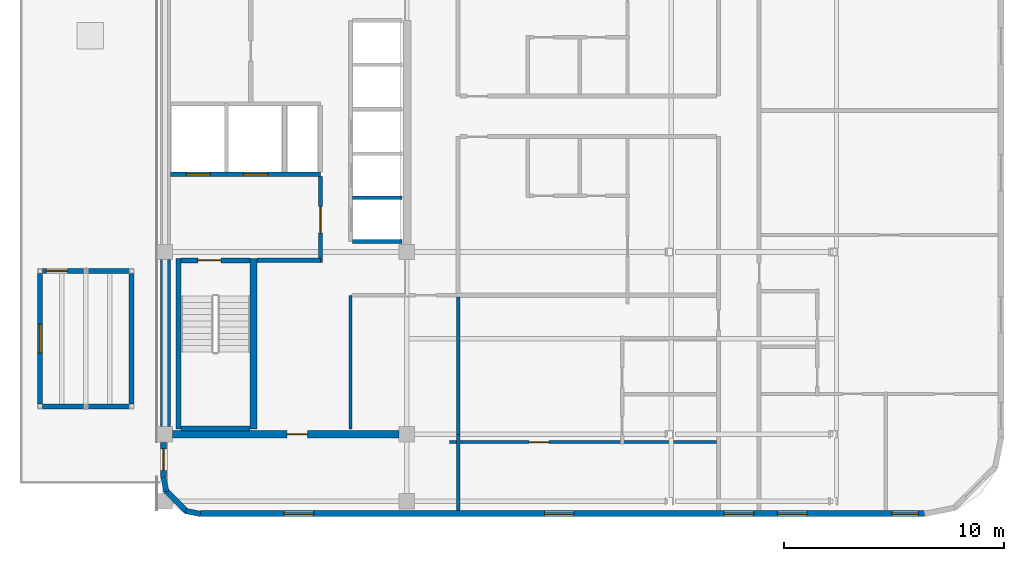
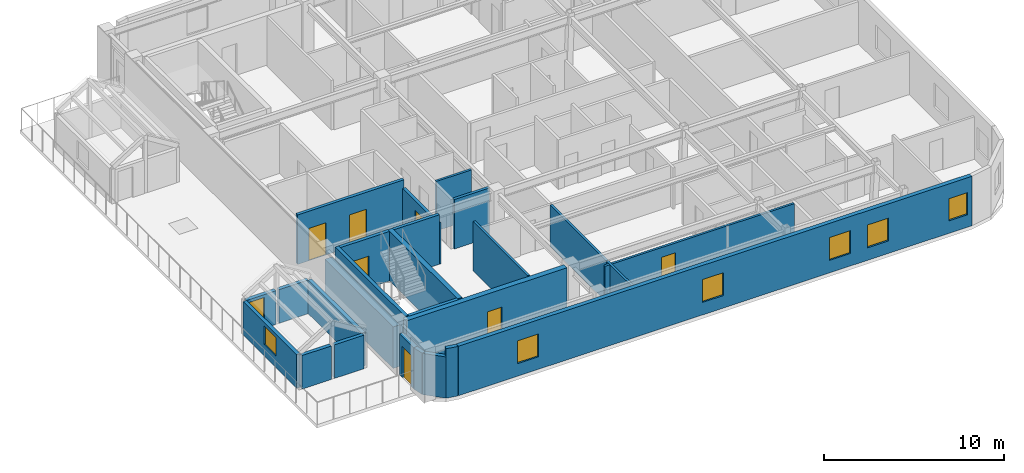
# One storey, part 8 of 13: 26 walls, 8 doors, 6 windows, 14 openings.
"""IFC4 building model written with IfcOpenShell, lengths in metres."""

import ifcopenshell
import ifcopenshell.guid

model = None  # the IFC model being written
_history = None  # IfcOwnerHistory: only IFC2X3 demands one
_inside = {}  # id of a spatial element -> (the spatial element, [elements in it])
_under = {}  # id of a project, library or spatial element -> (it, [spatial elements below it])
_declared = {}  # id of a project -> (the project, [libraries it declares])
_typed = {}  # id of a type object -> (the type object, [elements of that type])
_made_of = {}  # id of a material, layer set ... -> (it, [elements and type objects made of it])


def new_model(schema):
    """Start an empty IFC model of exactly this schema.

    Asked for "IFC4X3", IfcOpenShell would pick the latest addendum, in which some entities
    have other attributes; the version numbers below select the first issue.
    IFC2X3 requires an IfcOwnerHistory on every rooted entity: one is made here for all.
    """
    global model, _history
    if schema == "IFC4X3":
        model = ifcopenshell.file(schema_version=(4, 3, 0, 0))
    else:
        model = ifcopenshell.file(schema=schema)
    _inside.clear()
    _under.clear()
    _declared.clear()
    _typed.clear()
    _made_of.clear()
    _history = None
    if model.schema == "IFC2X3":
        org = make("IfcOrganization", Name="unknown")
        user = make(
            "IfcPersonAndOrganization",
            ThePerson=make("IfcPerson", FamilyName="unknown"),
            TheOrganization=org,
        )
        app = make(
            "IfcApplication",
            ApplicationDeveloper=org,
            Version="unknown",
            ApplicationFullName="unknown",
            ApplicationIdentifier="unknown",
        )
        _history = make(
            "IfcOwnerHistory",
            OwningUser=user,
            OwningApplication=app,
            ChangeAction="ADDED",
            CreationDate=0,
        )
    return model


def make(cls, **values):
    """One entity of the class cls with the attributes given. An attribute that is None is left unset."""
    return model.create_entity(
        cls, **{name: value for name, value in values.items() if value is not None}
    )


def rooted(cls, **values):
    """An entity with a GlobalId (a new one), such as an element, a storey or a relation."""
    return make(cls, GlobalId=ifcopenshell.guid.new(), OwnerHistory=_history, **values)


def si_unit(unit_type, name, prefix=None):
    """IfcSIUnit, for example si_unit("LENGTHUNIT", "METRE", prefix="MILLI")."""
    return make("IfcSIUnit", UnitType=unit_type, Prefix=prefix, Name=name)


def assignment(units):
    """IfcUnitAssignment: the units of a project."""
    return None if units is None else make("IfcUnitAssignment", Units=units)


def point(xyz):
    """IfcCartesianPoint."""
    return None if xyz is None else make("IfcCartesianPoint", Coordinates=xyz)


def direction(xyz):
    """IfcDirection."""
    return None if xyz is None else make("IfcDirection", DirectionRatios=xyz)


def frame(location, z_axis=None, x_axis=None):
    """IfcAxis2Placement3D, a coordinate frame: its origin and axes. An axis left out is left unset."""
    return make(
        "IfcAxis2Placement3D",
        Location=point(location),
        Axis=direction(z_axis),
        RefDirection=direction(x_axis),
    )


def frame_2d(location, x_axis=None):
    """IfcAxis2Placement2D, a coordinate frame in the plane: its origin and x axis."""
    return make(
        "IfcAxis2Placement2D", Location=point(location), RefDirection=direction(x_axis)
    )


def origin():
    """The frame at (0, 0, 0) with its axes left unset."""
    return frame((0.0, 0.0, 0.0))


def place(relative_to, where):
    """IfcLocalPlacement: puts the frame where relative to a parent placement (None: the world)."""
    return make(
        "IfcLocalPlacement", PlacementRelTo=relative_to, RelativePlacement=where
    )


def context(
    kind, dimensions, precision=None, world=None, true_north=None, identifier=None
):
    """IfcGeometricRepresentationContext, for example the 3D "Model" context."""
    return make(
        "IfcGeometricRepresentationContext",
        ContextIdentifier=identifier,
        ContextType=kind,
        CoordinateSpaceDimension=dimensions,
        Precision=precision,
        WorldCoordinateSystem=world,
        TrueNorth=true_north,
    )


def subcontext(parent, identifier, kind, view, scale=None):
    """IfcGeometricRepresentationSubContext, for example "Body" below "Model"."""
    return make(
        "IfcGeometricRepresentationSubContext",
        ContextIdentifier=identifier,
        ContextType=kind,
        ParentContext=parent,
        TargetScale=scale,
        TargetView=view,
    )


def project(units=None, contexts=None):
    """IfcProject with its units and contexts."""
    return rooted(
        "IfcProject",
        Name="project",
        RepresentationContexts=contexts,
        UnitsInContext=assignment(units),
    )


def spatial(cls, under=None, at=None, **own):
    """A site, building, storey or space (cls), placed at a placement, below another one or the project."""
    s = rooted(cls, ObjectPlacement=at, **own)
    if under is not None:
        _under.setdefault(under.id(), (under, []))[1].append(s)
    return s


def profile(cls, at=None, kind="AREA", **sizes):
    """A parametric profile (cls). Its sizes go by their IFC names, for example OverallWidth=200.0."""
    return make(cls, ProfileType=kind, Position=at, **sizes)


def rectangle(**sizes):
    """IfcRectangleProfileDef."""
    return profile("IfcRectangleProfileDef", **sizes)


def extrude(swept, where, along, depth):
    """IfcExtrudedAreaSolid: the profile swept, set in the frame where, extruded along a direction by depth."""
    return make(
        "IfcExtrudedAreaSolid",
        SweptArea=swept,
        Position=where,
        ExtrudedDirection=direction(along),
        Depth=depth,
    )


def shape(context_of_items, identifier, shape_type, items):
    """IfcShapeRepresentation: the items that make up one representation, for example the "Body"."""
    return make(
        "IfcShapeRepresentation",
        ContextOfItems=context_of_items,
        RepresentationIdentifier=identifier,
        RepresentationType=shape_type,
        Items=items,
    )


def material(Name=None, Category=None):
    """IfcMaterial."""
    return make("IfcMaterial", Name=Name, Category=Category)


def layer(
    of_material, thickness, ventilated=None, Name=None, Category=None, Priority=None
):
    """IfcMaterialLayer: one layer of a wall or slab, of a material (None: an air gap)."""
    return make(
        "IfcMaterialLayer",
        Material=of_material,
        LayerThickness=thickness,
        IsVentilated=ventilated,
        Name=Name,
        Category=Category,
        Priority=Priority,
    )


def layer_set(layers, Name=None):
    """IfcMaterialLayerSet."""
    return make("IfcMaterialLayerSet", MaterialLayers=layers, LayerSetName=Name)


def made_of(thing, what):
    """Note that an element or type object is made of a material, layer set ...; save() writes the relation."""
    if what is not None:
        _made_of.setdefault(what.id(), (what, []))[1].append(thing)
    return thing


def type_object(cls, material=None, **own):
    """A type object (cls), such as IfcWallType, which elements share."""
    return made_of(rooted(cls, **own), material)


def element(
    cls,
    number,
    at=None,
    inside=None,
    cuts=None,
    type_object=None,
    material=None,
    context=None,
    identifier="Body",
    shape_type=None,
    held_by="IfcProductDefinitionShape",
    body=None,
    shapes=None,
    **own,
):
    """One element of the class cls, such as IfcWall. Its Tag is "e" and its number.

    at: its placement. inside: the storey or other place that contains it. cuts: it is an
    opening in that element (IfcRelVoidsElement). A single representation is given by context,
    identifier, shape_type and body (its items); several are given by shapes. held_by: the class
    of the entity that holds the representations. save() writes the other relations.
    """
    e = rooted(cls, Tag="e%d" % number, ObjectPlacement=at, **own)
    if body is not None:
        shapes = [shape(context, identifier, shape_type, body)]
    if shapes is not None:
        e.Representation = make(held_by, Representations=shapes)
    if inside is not None:
        _inside.setdefault(inside.id(), (inside, []))[1].append(e)
    if cuts is not None:
        rooted(
            "IfcRelVoidsElement", RelatingBuildingElement=cuts, RelatedOpeningElement=e
        )
    if type_object is not None:
        _typed.setdefault(type_object.id(), (type_object, []))[1].append(e)
    return made_of(e, material)


def fill(opening, filler):
    """IfcRelFillsElement: the door or window that sits in an opening."""
    return rooted(
        "IfcRelFillsElement",
        RelatingOpeningElement=opening,
        RelatedBuildingElement=filler,
    )


def aggregate(whole, parts):
    """IfcRelAggregates: a whole, such as a stair, and the parts it consists of."""
    return rooted("IfcRelAggregates", RelatingObject=whole, RelatedObjects=parts)


def save(model, path):
    """Write the relations noted so far, then the file.

    IfcRelAggregates (storeys below a building ...), IfcRelContainedInSpatialStructure (elements
    in a storey), IfcRelDefinesByType, IfcRelAssociatesMaterial and IfcRelDeclares: one each for
    every whole, place, type object, material and project.
    """
    for whole, parts in _under.values():
        aggregate(whole, parts)
    for where, things in _inside.values():
        rooted(
            "IfcRelContainedInSpatialStructure",
            RelatedElements=things,
            RelatingStructure=where,
        )
    for kind, things in _typed.values():
        rooted("IfcRelDefinesByType", RelatedObjects=things, RelatingType=kind)
    for what, things in _made_of.values():
        rooted("IfcRelAssociatesMaterial", RelatedObjects=things, RelatingMaterial=what)
    for by, libraries in _declared.values():
        rooted("IfcRelDeclares", RelatingContext=by, RelatedDefinitions=libraries)
    model.write(path)


model = new_model("IFC4")

# Units and contexts
model_context = context("Model", 3, precision=1e-05, world=origin(), true_north=direction((0.0, 1.0)))
body_context = subcontext(model_context, "Body", "Model", "MODEL_VIEW")
ifc_project = project(units=[si_unit("LENGTHUNIT", "METRE"), si_unit("AREAUNIT", "SQUARE_METRE"), si_unit("VOLUMEUNIT", "CUBIC_METRE"), si_unit("PLANEANGLEUNIT", "RADIAN"), si_unit("MASSUNIT", "GRAM", prefix="KILO")], contexts=[model_context])

# Site, building, storey
site_placement = place(None, origin())
site = spatial("IfcSite", under=ifc_project, at=site_placement, CompositionType="ELEMENT")
building_placement = place(site_placement, origin())
building = spatial("IfcBuilding", under=site, at=building_placement, Name="Ochreholt Gables", CompositionType="ELEMENT")
storey_placement = place(building_placement, frame((0.0, 0.0, 205.800048828125)))
storey = spatial("IfcBuildingStorey", under=building, at=storey_placement, Name="L53", CompositionType="ELEMENT", Elevation=205.800048828125)

# Wall, opening, door
ifc_material_1 = material(Name="Concrete 50 MPa", Category="concrete")
ifc_layer_1 = layer(ifc_material_1, 0.35009765625, Name="Concrete 50 MPa")
ifc_layer_set_1 = layer_set([ifc_layer_1], Name="Concrete 50 MPa")
wall_type_1 = type_object("IfcWallType", Name="WALL-CSW-350", PredefinedType="SHEAR", material=ifc_layer_set_1)
wall_1_placement = place(storey_placement, frame((24.550048828125, 9.25, 0.0), z_axis=(0.0, 0.0, 1.0), x_axis=(1.0, 0.0, 0.0)))
wall_1 = element("IfcWall", 1, at=wall_1_placement, inside=storey, type_object=wall_type_1, Name="L53 Core South Shear Wall", PredefinedType="SHEAR", context=body_context, shape_type="SweptSolid", body=[
    extrude(rectangle(XDim=10.300048828125, YDim=0.35009765625, at=frame_2d((5.14990234375, 0.0))), origin(), (0.0, 0.0, 1.0), 3.35986328125),
])
opening_1_placement = place(wall_1_placement, frame((5.199951171875, 0.0, 0.0)))
opening_1 = element("IfcOpeningElement", 2, at=opening_1_placement, cuts=wall_1, Name="Opening D-FL2", PredefinedType="OPENING", context=body_context, shape_type="SweptSolid", body=[
    extrude(rectangle(XDim=0.949951171875, YDim=2.14990234375, at=frame_2d((0.47509765625, 1.074951171875))), frame((0.0, 0.18505859375, 0.0), z_axis=(0.0, -1.0, 0.0), x_axis=(1.0, 0.0, 0.0)), (0.0, 0.0, 1.0), 0.3701171875),
])
ifc_material_2 = material(Name="Hollow Metal Steel", Category="steel")
door_type_1 = type_object("IfcDoorType", Name="DR-INT-FLB950", OperationType="NOTDEFINED", PredefinedType="DOOR", material=ifc_material_2)
door_1_placement = place(opening_1_placement, frame((0.949951171875, 0.0, 0.0), z_axis=(0.0, 0.0, 1.0), x_axis=(-1.0, 0.0, 0.0)))
door_1 = element("IfcDoor", 3, at=door_1_placement, inside=storey, type_object=door_type_1, Name="L53 Door D-C3SSL-L53", OperationType="SINGLE_SWING_LEFT", OverallHeight=2.14990234375, OverallWidth=0.949951171875, PredefinedType="DOOR", context=body_context, shape_type="SweptSolid", body=[
    extrude(rectangle(XDim=0.949951171875, YDim=2.14990234375, at=frame_2d((0.47509765625, 1.074951171875))), frame((0.0, 0.02490234375, 0.0), z_axis=(0.0, -1.0, 0.0), x_axis=(1.0, 0.0, 0.0)), (0.0, 0.0, 1.0), 0.050048828125),
])
fill(opening_1, door_1)

# Wall
ifc_layer_2 = layer(ifc_material_1, 0.449951171875, Name="Concrete 50 MPa")
ifc_layer_set_2 = layer_set([ifc_layer_2], Name="Concrete 50 MPa")
wall_type_2 = type_object("IfcWallType", Name="WALL-CSW-EXT", PredefinedType="SHEAR", material=ifc_layer_set_2)
wall_2_placement = place(storey_placement, frame((24.22509765625, 9.60009765625, 0.0), z_axis=(0.0, 0.0, 1.0), x_axis=(0.0, 1.0, 0.0)))
element("IfcWall", 4, at=wall_2_placement, inside=storey, type_object=wall_type_2, Name="L53 Core West Shear Wall WS", PredefinedType="SHEAR", context=body_context, shape_type="SweptSolid", body=[
    extrude(rectangle(XDim=7.599853515625, YDim=0.449951171875, at=frame_2d((3.7998046875, 0.0))), origin(), (0.0, 0.0, 1.0), 2.821044921875),
])

# Wall, openings, windows
ifc_material_3 = material(Name="Precast concrete 40 MPa", Category="concrete")
ifc_layer_3 = layer(ifc_material_3, 0.27001953125, Name="Precast concrete 40 MPa")
ifc_layer_set_3 = layer_set([ifc_layer_3], Name="Precast concrete 40 MPa")
wall_type_3 = type_object("IfcWallType", Name="WALL-EXT-270", PredefinedType="SOLIDWALL", material=ifc_layer_set_3)
wall_3_placement = place(storey_placement, frame((25.820068359375, 5.635009765625, 0.0), z_axis=(0.0, 0.0, 1.0), x_axis=(1.0, 0.0, 0.0)))
wall_3 = element("IfcWall", 5, at=wall_3_placement, inside=storey, type_object=wall_type_3, Name="L53 South Exterior Wall", PredefinedType="SOLIDWALL", context=body_context, shape_type="SweptSolid", body=[
    extrude(rectangle(XDim=32.9599609375, YDim=0.27001953125, at=frame_2d((16.47998046875, 0.0))), origin(), (0.0, 0.0, 1.0), 3.35986328125),
])
opening_2_placement = place(wall_3_placement, frame((3.794921875, 0.0, 0.85009765625)))
opening_2 = element("IfcOpeningElement", 6, at=opening_2_placement, cuts=wall_3, Name="Opening WN-8", PredefinedType="OPENING", context=body_context, shape_type="SweptSolid", body=[
    extrude(rectangle(XDim=1.35009765625, YDim=1.550048828125, at=frame_2d((0.675048828125, 0.77490234375))), frame((0.0, 0.14501953125, 0.0), z_axis=(0.0, -1.0, 0.0), x_axis=(1.0, 0.0, 0.0)), (0.0, 0.0, 1.0), 0.2900390625),
])
opening_3_placement = place(wall_3_placement, frame((15.660888671875, 0.0, 0.85009765625)))
opening_3 = element("IfcOpeningElement", 7, at=opening_3_placement, cuts=wall_3, Name="Opening WN-8", PredefinedType="OPENING", context=body_context, shape_type="SweptSolid", body=[
    extrude(rectangle(XDim=1.35009765625, YDim=1.550048828125, at=frame_2d((0.675048828125, 0.77490234375))), frame((0.0, 0.14501953125, 0.0), z_axis=(0.0, -1.0, 0.0), x_axis=(1.0, 0.0, 0.0)), (0.0, 0.0, 1.0), 0.2900390625),
])
opening_4_placement = place(wall_3_placement, frame((23.830078125, 0.0, 0.85009765625)))
opening_4 = element("IfcOpeningElement", 8, at=opening_4_placement, cuts=wall_3, Name="Opening WN-8", PredefinedType="OPENING", context=body_context, shape_type="SweptSolid", body=[
    extrude(rectangle(XDim=1.35009765625, YDim=1.550048828125, at=frame_2d((0.675048828125, 0.77490234375))), frame((0.0, 0.14501953125, 0.0), z_axis=(0.0, -1.0, 0.0), x_axis=(1.0, 0.0, 0.0)), (0.0, 0.0, 1.0), 0.2900390625),
])
opening_5_placement = place(wall_3_placement, frame((26.2587890625, 0.0, 0.85009765625)))
opening_5 = element("IfcOpeningElement", 9, at=opening_5_placement, cuts=wall_3, Name="Opening WN-8", PredefinedType="OPENING", context=body_context, shape_type="SweptSolid", body=[
    extrude(rectangle(XDim=1.35009765625, YDim=1.550048828125, at=frame_2d((0.675048828125, 0.77490234375))), frame((0.0, 0.14501953125, 0.0), z_axis=(0.0, -1.0, 0.0), x_axis=(1.0, 0.0, 0.0)), (0.0, 0.0, 1.0), 0.2900390625),
])
opening_6_placement = place(wall_3_placement, frame((31.4765625, 0.0, 0.85009765625)))
opening_6 = element("IfcOpeningElement", 10, at=opening_6_placement, cuts=wall_3, Name="Opening WN-3", PredefinedType="OPENING", context=body_context, shape_type="SweptSolid", body=[
    extrude(rectangle(XDim=1.199951171875, YDim=1.5, at=frame_2d((0.60009765625, 0.75))), frame((0.0, 0.14501953125, 0.0), z_axis=(0.0, -1.0, 0.0), x_axis=(1.0, 0.0, 0.0)), (0.0, 0.0, 1.0), 0.2900390625),
])
ifc_material_4 = material(Name="Triple-Glazed Thermally Broken Aluminium Window", Category="aluminium")
window_type_1 = type_object("IfcWindowType", Name="WIN-RES-1200", PartitioningType="SINGLE_PANEL", PredefinedType="WINDOW", material=ifc_material_4)
window_1_placement = place(opening_6_placement, origin())
window_1 = element("IfcWindow", 11, at=window_1_placement, inside=storey, type_object=window_type_1, Name="L53 Window W-EXT-S-L53-5", OverallHeight=1.5, OverallWidth=1.199951171875, PartitioningType="SINGLE_PANEL", PredefinedType="WINDOW", context=body_context, shape_type="SweptSolid", body=[
    extrude(rectangle(XDim=1.199951171875, YDim=1.5, at=frame_2d((0.60009765625, 0.75))), frame((0.0, 0.030029296875, 0.0), z_axis=(0.0, -1.0, 0.0), x_axis=(1.0, 0.0, 0.0)), (0.0, 0.0, 1.0), 0.06005859375),
])
fill(opening_6, window_1)
window_type_2 = type_object("IfcWindowType", Name="WIN-RES-1350", PartitioningType="SINGLE_PANEL", PredefinedType="WINDOW", material=ifc_material_4)
window_2_placement = place(opening_2_placement, origin())
window_2 = element("IfcWindow", 12, at=window_2_placement, inside=storey, type_object=window_type_2, Name="L53 Window W-EXT-S-L53-1", OverallHeight=1.550048828125, OverallWidth=1.35009765625, PartitioningType="SINGLE_PANEL", PredefinedType="WINDOW", context=body_context, shape_type="SweptSolid", body=[
    extrude(rectangle(XDim=1.35009765625, YDim=1.550048828125, at=frame_2d((0.675048828125, 0.77490234375))), frame((0.0, 0.030029296875, 0.0), z_axis=(0.0, -1.0, 0.0), x_axis=(1.0, 0.0, 0.0)), (0.0, 0.0, 1.0), 0.06005859375),
])
fill(opening_2, window_2)
window_3_placement = place(opening_3_placement, origin())
window_3 = element("IfcWindow", 13, at=window_3_placement, inside=storey, type_object=window_type_2, Name="L53 Window W-EXT-S-L53-2", OverallHeight=1.550048828125, OverallWidth=1.35009765625, PartitioningType="SINGLE_PANEL", PredefinedType="WINDOW", context=body_context, shape_type="SweptSolid", body=[
    extrude(rectangle(XDim=1.35009765625, YDim=1.550048828125, at=frame_2d((0.675048828125, 0.77490234375))), frame((0.0, 0.030029296875, 0.0), z_axis=(0.0, -1.0, 0.0), x_axis=(1.0, 0.0, 0.0)), (0.0, 0.0, 1.0), 0.06005859375),
])
fill(opening_3, window_3)
window_4_placement = place(opening_4_placement, origin())
window_4 = element("IfcWindow", 14, at=window_4_placement, inside=storey, type_object=window_type_2, Name="L53 Window W-EXT-S-L53-3", OverallHeight=1.550048828125, OverallWidth=1.35009765625, PartitioningType="SINGLE_PANEL", PredefinedType="WINDOW", context=body_context, shape_type="SweptSolid", body=[
    extrude(rectangle(XDim=1.35009765625, YDim=1.550048828125, at=frame_2d((0.675048828125, 0.77490234375))), frame((0.0, 0.030029296875, 0.0), z_axis=(0.0, -1.0, 0.0), x_axis=(1.0, 0.0, 0.0)), (0.0, 0.0, 1.0), 0.06005859375),
])
fill(opening_4, window_4)
window_5_placement = place(opening_5_placement, origin())
window_5 = element("IfcWindow", 15, at=window_5_placement, inside=storey, type_object=window_type_2, Name="L53 Window W-EXT-S-L53-4", OverallHeight=1.550048828125, OverallWidth=1.35009765625, PartitioningType="SINGLE_PANEL", PredefinedType="WINDOW", context=body_context, shape_type="SweptSolid", body=[
    extrude(rectangle(XDim=1.35009765625, YDim=1.550048828125, at=frame_2d((0.675048828125, 0.77490234375))), frame((0.0, 0.030029296875, 0.0), z_axis=(0.0, -1.0, 0.0), x_axis=(1.0, 0.0, 0.0)), (0.0, 0.0, 1.0), 0.06005859375),
])
fill(opening_5, window_5)

# Wall, opening, door
wall_4_placement = place(storey_placement, frame((24.135009765625, 7.320068359375, 0.0), z_axis=(0.0, 0.0, 1.0), x_axis=(0.0, 1.0, 0.0)))
wall_4 = element("IfcWall", 16, at=wall_4_placement, inside=storey, type_object=wall_type_3, Name="L53 West Facade South Bay Wall", PredefinedType="SOLIDWALL", context=body_context, shape_type="SweptSolid", body=[
    extrude(rectangle(XDim=1.559814453125, YDim=0.27001953125, at=frame_2d((0.77978515625, 0.0))), origin(), (0.0, 0.0, 1.0), 2.802978515625),
])
opening_7_placement = place(wall_4_placement, frame((0.2900390625, 0.0, 0.0)))
opening_7 = element("IfcOpeningElement", 17, at=opening_7_placement, cuts=wall_4, Name="Opening D-TR2", PredefinedType="OPENING", context=body_context, shape_type="SweptSolid", body=[
    extrude(rectangle(XDim=0.97998046875, YDim=2.1201171875, at=frame_2d((0.489990234375, 1.06005859375))), frame((0.0, 0.14501953125, 0.0), z_axis=(0.0, -1.0, 0.0), x_axis=(1.0, 0.0, 0.0)), (0.0, 0.0, 1.0), 0.2900390625),
])
ifc_material_5 = material(Name="Thermally Broken Insulated Steel and Glass Door", Category="steel")
door_type_2 = type_object("IfcDoorType", Name="DR-EXT-TER980", OperationType="NOTDEFINED", PredefinedType="DOOR", material=ifc_material_5)
door_2_placement = place(opening_7_placement, origin())
door_2 = element("IfcDoor", 18, at=door_2_placement, inside=storey, type_object=door_type_2, Name="L53 West Terrace Access Door", OperationType="SINGLE_SWING_LEFT", OverallHeight=2.1201171875, OverallWidth=0.97998046875, PredefinedType="DOOR", context=body_context, shape_type="SweptSolid", body=[
    extrude(rectangle(XDim=0.97998046875, YDim=2.1201171875, at=frame_2d((0.489990234375, 1.06005859375))), frame((0.0, 0.02490234375, 0.0), z_axis=(0.0, -1.0, 0.0), x_axis=(1.0, 0.0, 0.0)), (0.0, 0.0, 1.0), 0.050048828125),
])
fill(opening_7, door_2)

# Walls
ifc_layer_4 = layer(ifc_material_3, 0.25, Name="Precast concrete 40 MPa")
ifc_layer_set_4 = layer_set([ifc_layer_4], Name="Precast concrete 40 MPa")
wall_type_4 = type_object("IfcWallType", Name="WALL-EXT-CNR", PredefinedType="SOLIDWALL", material=ifc_layer_set_4)
wall_5_placement = place(storey_placement, frame((24.124267578125, 7.31640625, 0.0), z_axis=(0.0, 0.0, 1.0), x_axis=(0.194952956674, -0.980812594069, 0.0)))
element("IfcWall", 19, at=wall_5_placement, inside=storey, type_object=wall_type_4, Name="L53 Rounded Corner Wall SW-1", PredefinedType="SOLIDWALL", context=body_context, shape_type="SweptSolid", body=[
    extrude(rectangle(XDim=0.686279296875, YDim=0.25, at=frame_2d((0.34326171875, 0.0))), origin(), (0.0, 0.0, 1.0), 2.802978515625),
])
wall_6_placement = place(storey_placement, frame((24.23095703125, 6.69384765625, 0.0), z_axis=(0.0, 0.0, 1.0), x_axis=(0.707106781187, -0.707106781187, 0.0)))
element("IfcWall", 20, at=wall_6_placement, inside=storey, type_object=wall_type_4, Name="L53 Rounded Corner Wall SW-2", PredefinedType="SOLIDWALL", context=body_context, shape_type="SweptSolid", body=[
    extrude(rectangle(XDim=1.36181640625, YDim=0.25, at=frame_2d((0.680908203125, 0.0))), origin(), (0.0, 0.0, 1.0), 2.802978515625),
])
wall_7_placement = place(storey_placement, frame((25.143310546875, 5.758056640625, 0.0), z_axis=(0.0, 0.0, 1.0), x_axis=(0.980812594069, -0.194952956674, 0.0)))
element("IfcWall", 21, at=wall_7_placement, inside=storey, type_object=wall_type_4, Name="L53 Rounded Corner Wall SW-3", PredefinedType="SOLIDWALL", context=body_context, shape_type="SweptSolid", body=[
    extrude(rectangle(XDim=0.686279296875, YDim=0.25, at=frame_2d((0.34326171875, 0.0))), origin(), (0.0, 0.0, 1.0), 3.35986328125),
])
ifc_layer_5 = layer(ifc_material_3, 0.22998046875, Name="Precast concrete 40 MPa")
ifc_layer_set_5 = layer_set([ifc_layer_5], Name="Precast concrete 40 MPa")
wall_type_5 = type_object("IfcWallType", Name="WALL-EXT-GAB", PredefinedType="SOLIDWALL", material=ifc_layer_set_5)
for number, where, z_axis, x_axis, name in (
    (22, (18.6220703125, 10.514892578125, 0.0), (0.0, 0.0, 1.0), (1.0, 0.0, 0.0), "L53 Gable End Wall GB-53W1-S1"),
    (23, (20.701904296875, 10.514892578125, 0.0), (0.0, 0.0, 1.0), (1.0, 0.0, 0.0), "L53 Gable End Wall GB-53W1-S2"),
):
    element("IfcWall", number, at=place(storey_placement, frame(where, z_axis=z_axis, x_axis=x_axis)), inside=storey, type_object=wall_type_5, Name=name, PredefinedType="SOLIDWALL", context=body_context, shape_type="SweptSolid", body=[
        extrude(rectangle(XDim=1.8759765625, YDim=0.22998046875, at=frame_2d((0.93798828125, 0.0))), origin(), (0.0, 0.0, 1.0), 2.28076171875),
    ])

# Wall, opening, door
wall_8_placement = place(storey_placement, frame((18.6220703125, 16.68505859375, 0.0), z_axis=(0.0, 0.0, 1.0), x_axis=(1.0, 0.0, 0.0)))
wall_8 = element("IfcWall", 24, at=wall_8_placement, inside=storey, type_object=wall_type_5, Name="L53 Gable End Wall GB-53W1-N1", PredefinedType="SOLIDWALL", context=body_context, shape_type="SweptSolid", body=[
    extrude(rectangle(XDim=1.8759765625, YDim=0.22998046875, at=frame_2d((0.93798828125, 0.0))), origin(), (0.0, 0.0, 1.0), 2.28076171875),
])
opening_8_placement = place(wall_8_placement, frame((0.179931640625, 0.0, 0.0)))
opening_8 = element("IfcOpeningElement", 25, at=opening_8_placement, cuts=wall_8, Name="Opening D-GB1", PredefinedType="OPENING", context=body_context, shape_type="SweptSolid", body=[
    extrude(rectangle(XDim=0.9599609375, YDim=2.080078125, at=frame_2d((0.47998046875, 1.0400390625))), frame((0.0, 0.125, 0.0), z_axis=(0.0, -1.0, 0.0), x_axis=(1.0, 0.0, 0.0)), (0.0, 0.0, 1.0), 0.25),
])
door_type_3 = type_object("IfcDoorType", Name="DR-EXT-GAB960", OperationType="NOTDEFINED", PredefinedType="DOOR", material=ifc_material_5)
door_3_placement = place(opening_8_placement, origin())
door_3 = element("IfcDoor", 26, at=door_3_placement, inside=storey, type_object=door_type_3, Name="L53 Gable Pavilion Door GB-53W1", OperationType="SINGLE_SWING_LEFT", OverallHeight=2.080078125, OverallWidth=0.9599609375, PredefinedType="DOOR", context=body_context, shape_type="SweptSolid", body=[
    extrude(rectangle(XDim=0.9599609375, YDim=2.080078125, at=frame_2d((0.47998046875, 1.0400390625))), frame((0.0, 0.02490234375, 0.0), z_axis=(0.0, -1.0, 0.0), x_axis=(1.0, 0.0, 0.0)), (0.0, 0.0, 1.0), 0.050048828125),
])
fill(opening_8, door_3)

# Wall
wall_9_placement = place(storey_placement, frame((20.701904296875, 16.68505859375, 0.0), z_axis=(0.0, 0.0, 1.0), x_axis=(1.0, 0.0, 0.0)))
element("IfcWall", 27, at=wall_9_placement, inside=storey, type_object=wall_type_5, Name="L53 Gable End Wall GB-53W1-N2", PredefinedType="SOLIDWALL", context=body_context, shape_type="SweptSolid", body=[
    extrude(rectangle(XDim=1.8759765625, YDim=0.22998046875, at=frame_2d((0.93798828125, 0.0))), origin(), (0.0, 0.0, 1.0), 2.28076171875),
])

# Wall, opening, window
wall_10_placement = place(storey_placement, frame((18.514892578125, 10.6220703125, 0.0), z_axis=(0.0, 0.0, 1.0), x_axis=(0.0, 1.0, 0.0)))
wall_10 = element("IfcWall", 28, at=wall_10_placement, inside=storey, type_object=wall_type_5, Name="L53 Gable Eave Wall GB-53W1-W", PredefinedType="SOLIDWALL", context=body_context, shape_type="SweptSolid", body=[
    extrude(rectangle(XDim=5.955810546875, YDim=0.22998046875, at=frame_2d((2.97802734375, 0.0))), origin(), (0.0, 0.0, 1.0), 2.28076171875),
])
opening_9_placement = place(wall_10_placement, frame((2.327880859375, 0.0, 0.780029296875)))
opening_9 = element("IfcOpeningElement", 29, at=opening_9_placement, cuts=wall_10, Name="Opening WN-6", PredefinedType="OPENING", context=body_context, shape_type="SweptSolid", body=[
    extrude(rectangle(XDim=1.300048828125, YDim=1.25, at=frame_2d((0.64990234375, 0.625))), frame((0.0, 0.125, 0.0), z_axis=(0.0, -1.0, 0.0), x_axis=(1.0, 0.0, 0.0)), (0.0, 0.0, 1.0), 0.25),
])
window_type_3 = type_object("IfcWindowType", Name="WIN-GAB-1300", PartitioningType="SINGLE_PANEL", PredefinedType="WINDOW", material=ifc_material_4)
window_6_placement = place(opening_9_placement, origin())
window_6 = element("IfcWindow", 30, at=window_6_placement, inside=storey, type_object=window_type_3, Name="L53 Gable Pavilion Window GB-53W1", OverallHeight=1.25, OverallWidth=1.300048828125, PartitioningType="SINGLE_PANEL", PredefinedType="WINDOW", context=body_context, shape_type="SweptSolid", body=[
    extrude(rectangle(XDim=1.300048828125, YDim=1.25, at=frame_2d((0.64990234375, 0.625))), frame((0.0, 0.030029296875, 0.0), z_axis=(0.0, -1.0, 0.0), x_axis=(1.0, 0.0, 0.0)), (0.0, 0.0, 1.0), 0.06005859375),
])
fill(opening_9, window_6)

# Wall
wall_11_placement = place(storey_placement, frame((22.68505859375, 10.6220703125, 0.0), z_axis=(0.0, 0.0, 1.0), x_axis=(0.0, 1.0, 0.0)))
element("IfcWall", 31, at=wall_11_placement, inside=storey, type_object=wall_type_5, Name="L53 Gable Eave Wall GB-53W1-E", PredefinedType="SOLIDWALL", context=body_context, shape_type="SweptSolid", body=[
    extrude(rectangle(XDim=5.955810546875, YDim=0.22998046875, at=frame_2d((2.97802734375, 0.0))), origin(), (0.0, 0.0, 1.0), 2.28076171875),
])

# Wall, openings, doors
ifc_material_6 = material(Name="Concrete 40 MPa", Category="concrete")
ifc_layer_6 = layer(ifc_material_6, 0.199951171875, Name="Concrete 40 MPa")
ifc_layer_set_6 = layer_set([ifc_layer_6], Name="Concrete 40 MPa")
wall_type_6 = type_object("IfcWallType", Name="WALL-INT-CF200", PredefinedType="STANDARD", material=ifc_layer_set_6)
wall_12_placement = place(storey_placement, frame((24.449951171875, 21.090087890625, 0.0), z_axis=(0.0, 0.0, 1.0), x_axis=(1.0, 0.0, 0.0)))
wall_12 = element("IfcWall", 32, at=wall_12_placement, inside=storey, type_object=wall_type_6, Name="L53 Interior Wall WI-FFN-L53", PredefinedType="STANDARD", context=body_context, shape_type="SweptSolid", body=[
    extrude(rectangle(XDim=6.830078125, YDim=0.199951171875, at=frame_2d((3.4150390625, 0.0))), origin(), (0.0, 0.0, 1.0), 3.35986328125),
])
opening_10_placement = place(wall_12_placement, frame((0.719970703125, 0.0, 0.0)))
opening_10 = element("IfcOpeningElement", 33, at=opening_10_placement, cuts=wall_12, Name="Opening LD-FF", PredefinedType="OPENING", context=body_context, shape_type="SweptSolid", body=[
    extrude(rectangle(XDim=1.10009765625, YDim=2.199951171875, at=frame_2d((0.550048828125, 1.10009765625))), frame((0.0, 0.10986328125, 0.0), z_axis=(0.0, -1.0, 0.0), x_axis=(1.0, 0.0, 0.0)), (0.0, 0.0, 1.0), 0.219970703125),
])
opening_11_placement = place(wall_12_placement, frame((3.320068359375, 0.0, 0.0)))
opening_11 = element("IfcOpeningElement", 34, at=opening_11_placement, cuts=wall_12, Name="Opening LD-FF", PredefinedType="OPENING", context=body_context, shape_type="SweptSolid", body=[
    extrude(rectangle(XDim=1.10009765625, YDim=2.199951171875, at=frame_2d((0.550048828125, 1.10009765625))), frame((0.0, 0.10986328125, 0.0), z_axis=(0.0, -1.0, 0.0), x_axis=(1.0, 0.0, 0.0)), (0.0, 0.0, 1.0), 0.219970703125),
])
ifc_material_7 = material(Name="Stainless Steel", Category="steel")
door_type_4 = type_object("IfcDoorType", Name="DR-LFT-FF1100", OperationType="NOTDEFINED", PredefinedType="DOOR", material=ifc_material_7)
door_4_placement = place(opening_10_placement, origin())
door_4 = element("IfcDoor", 35, at=door_4_placement, inside=storey, type_object=door_type_4, Name="L53 Door LD-FF1-L53", OperationType="SLIDING_TO_LEFT", OverallHeight=2.199951171875, OverallWidth=1.10009765625, PredefinedType="DOOR", context=body_context, shape_type="SweptSolid", body=[
    extrude(rectangle(XDim=1.10009765625, YDim=2.199951171875, at=frame_2d((0.550048828125, 1.10009765625))), frame((0.0, 0.02490234375, 0.0), z_axis=(0.0, -1.0, 0.0), x_axis=(1.0, 0.0, 0.0)), (0.0, 0.0, 1.0), 0.050048828125),
])
fill(opening_10, door_4)
door_5_placement = place(opening_11_placement, origin())
door_5 = element("IfcDoor", 36, at=door_5_placement, inside=storey, type_object=door_type_4, Name="L53 Door LD-FF2-L53", OperationType="SLIDING_TO_LEFT", OverallHeight=2.199951171875, OverallWidth=1.10009765625, PredefinedType="DOOR", context=body_context, shape_type="SweptSolid", body=[
    extrude(rectangle(XDim=1.10009765625, YDim=2.199951171875, at=frame_2d((0.550048828125, 1.10009765625))), frame((0.0, 0.02490234375, 0.0), z_axis=(0.0, -1.0, 0.0), x_axis=(1.0, 0.0, 0.0)), (0.0, 0.0, 1.0), 0.050048828125),
])
fill(opening_11, door_5)

# Wall
wall_13_placement = place(storey_placement, frame((28.3798828125, 17.169921875, 0.0), z_axis=(0.0, 0.0, 1.0), x_axis=(1.0, 0.0, 0.0)))
element("IfcWall", 37, at=wall_13_placement, inside=storey, type_object=wall_type_6, Name="L53 Interior Wall WI-FFS-L53", PredefinedType="STANDARD", context=body_context, shape_type="SweptSolid", body=[
    extrude(rectangle(XDim=2.900146484375, YDim=0.199951171875, at=frame_2d((1.4501953125, 0.0))), origin(), (0.0, 0.0, 1.0), 3.35986328125),
])

# Wall, opening, door
wall_14_placement = place(storey_placement, frame((31.280029296875, 17.070068359375, 0.0), z_axis=(0.0, 0.0, 1.0), x_axis=(0.0, 1.0, 0.0)))
wall_14 = element("IfcWall", 38, at=wall_14_placement, inside=storey, type_object=wall_type_6, Name="L53 Interior Wall WI-FFE-L53", PredefinedType="STANDARD", context=body_context, shape_type="SweptSolid", body=[
    extrude(rectangle(XDim=3.919921875, YDim=0.199951171875, at=frame_2d((1.9599609375, 0.0))), origin(), (0.0, 0.0, 1.0), 2.802978515625),
])
opening_12_placement = place(wall_14_placement, frame((1.35009765625, 0.0, 0.0)))
opening_12 = element("IfcOpeningElement", 39, at=opening_12_placement, cuts=wall_14, Name="Opening D-FFL", PredefinedType="OPENING", context=body_context, shape_type="SweptSolid", body=[
    extrude(rectangle(XDim=1.199951171875, YDim=2.14990234375, at=frame_2d((0.60009765625, 1.074951171875))), frame((0.0, 0.10986328125, 0.0), z_axis=(0.0, -1.0, 0.0), x_axis=(1.0, 0.0, 0.0)), (0.0, 0.0, 1.0), 0.219970703125),
])
door_type_5 = type_object("IfcDoorType", Name="DR-INT-FFL1200", OperationType="NOTDEFINED", PredefinedType="DOOR", material=ifc_material_2)
door_6_placement = place(opening_12_placement, origin())
door_6 = element("IfcDoor", 40, at=door_6_placement, inside=storey, type_object=door_type_5, Name="L53 Door D-FFL-L53", OperationType="SINGLE_SWING_LEFT", OverallHeight=2.14990234375, OverallWidth=1.199951171875, PredefinedType="DOOR", context=body_context, shape_type="SweptSolid", body=[
    extrude(rectangle(XDim=1.199951171875, YDim=2.14990234375, at=frame_2d((0.60009765625, 1.074951171875))), frame((0.0, 0.02490234375, 0.0), z_axis=(0.0, -1.0, 0.0), x_axis=(1.0, 0.0, 0.0)), (0.0, 0.0, 1.0), 0.050048828125),
])
fill(opening_12, door_6)

# Walls
ifc_material_8 = material(Name="Lightweight Stud Partition", Category="gypsum")
ifc_layer_7 = layer(ifc_material_8, 0.14501953125, Name="Lightweight Stud Partition")
ifc_layer_set_7 = layer_set([ifc_layer_7], Name="Lightweight Stud Partition")
wall_type_7 = type_object("IfcWallType", Name="WALL-INT-PT145", PredefinedType="PARTITIONING", material=ifc_layer_set_7)
wall_15_placement = place(storey_placement, frame((32.64990234375, 9.5, 0.0), z_axis=(0.0, 0.0, 1.0), x_axis=(0.0, 1.0, 0.0)))
element("IfcWall", 41, at=wall_15_placement, inside=storey, type_object=wall_type_7, Name="L53 Interior Wall WI-RCL-W-L53", PredefinedType="PARTITIONING", context=body_context, shape_type="SweptSolid", body=[
    extrude(rectangle(XDim=6.080078125, YDim=0.14501953125, at=frame_2d((3.0400390625, 0.0))), origin(), (0.0, 0.0, 1.0), 3.35986328125),
])
wall_16_placement = place(storey_placement, frame((37.550048828125, 9.25, 0.0), z_axis=(0.0, 0.0, 1.0), x_axis=(0.0, 1.0, 0.0)))
element("IfcWall", 42, at=wall_16_placement, inside=storey, type_object=wall_type_7, Name="L53 Interior Wall WI-RCL-E-L53", PredefinedType="PARTITIONING", context=body_context, shape_type="SweptSolid", body=[
    extrude(rectangle(XDim=6.257568359375, YDim=0.14501953125, at=frame_2d((3.12890625, 0.0))), origin(), (0.0, 0.0, 1.0), 2.802978515625),
])
wall_17_placement = place(storey_placement, frame((37.550048828125, 5.77001953125, 0.0), z_axis=(0.0, 0.0, 1.0), x_axis=(0.0, 1.0, 0.0)))
element("IfcWall", 43, at=wall_17_placement, inside=storey, type_object=wall_type_7, Name="L53 Interior Wall WI-C3SMW-L53", PredefinedType="PARTITIONING", context=body_context, shape_type="SweptSolid", body=[
    extrude(rectangle(XDim=3.47998046875, YDim=0.14501953125, at=frame_2d((1.739990234375, 0.0))), origin(), (0.0, 0.0, 1.0), 2.802978515625),
])

# Wall, opening, door
wall_18_placement = place(storey_placement, frame((37.159912109375, 8.897216796875, 0.0), z_axis=(0.0, 0.0, 1.0), x_axis=(1.0, 0.0, 0.0)))
wall_18 = element("IfcWall", 44, at=wall_18_placement, inside=storey, type_object=wall_type_7, Name="L53 Interior Wall WU-L53SM1-MN", PredefinedType="PARTITIONING", context=body_context, shape_type="SweptSolid", body=[
    extrude(rectangle(XDim=12.150146484375, YDim=0.14501953125, at=frame_2d((6.0751953125, 0.0))), origin(), (0.0, 0.0, 1.0), 2.802978515625),
])
opening_13_placement = place(wall_18_placement, frame((3.625, 0.0, 0.0)))
opening_13 = element("IfcOpeningElement", 45, at=opening_13_placement, cuts=wall_18, Name="Opening D-BD1", PredefinedType="OPENING", context=body_context, shape_type="SweptSolid", body=[
    extrude(rectangle(XDim=0.89990234375, YDim=2.139892578125, at=frame_2d((0.449951171875, 1.06982421875))), frame((0.0, 0.08251953125, 0.0), z_axis=(0.0, -1.0, 0.0), x_axis=(1.0, 0.0, 0.0)), (0.0, 0.0, 1.0), 0.1650390625),
])
ifc_material_9 = material(Name="Engineered Oak Timber", Category="wood")
door_type_6 = type_object("IfcDoorType", Name="DR-INT-BED900", OperationType="NOTDEFINED", PredefinedType="DOOR", material=ifc_material_9)
door_7_placement = place(opening_13_placement, origin())
door_7 = element("IfcDoor", 46, at=door_7_placement, inside=storey, type_object=door_type_6, Name="L53 Door D-U-L53SM1-BD1", OperationType="SINGLE_SWING_LEFT", OverallHeight=2.139892578125, OverallWidth=0.89990234375, PredefinedType="DOOR", context=body_context, shape_type="SweptSolid", body=[
    extrude(rectangle(XDim=0.89990234375, YDim=2.139892578125, at=frame_2d((0.449951171875, 1.06982421875))), frame((0.0, 0.02490234375, 0.0), z_axis=(0.0, -1.0, 0.0), x_axis=(1.0, 0.0, 0.0)), (0.0, 0.0, 1.0), 0.050048828125),
])
fill(opening_13, door_7)

# Walls
ifc_material_10 = material(Name="Gypsum Shaftliner and Steel Stud", Category="steel")
ifc_layer_8 = layer(ifc_material_10, 0.14990234375, Name="Gypsum Shaftliner and Steel Stud")
ifc_layer_set_8 = layer_set([ifc_layer_8], Name="Gypsum Shaftliner and Steel Stud")
wall_type_8 = type_object("IfcWallType", Name="WALL-INT-SH150", PredefinedType="STANDARD", material=ifc_layer_set_8)
wall_19_placement = place(storey_placement, frame((32.739990234375, 20.02001953125, 0.0), z_axis=(0.0, 0.0, 1.0), x_axis=(1.0, 0.0, 0.0)))
element("IfcWall", 47, at=wall_19_placement, inside=storey, type_object=wall_type_8, Name="L53 Interior Wall WI-LFHE-DH1-L53", PredefinedType="STANDARD", context=body_context, shape_type="SweptSolid", body=[
    extrude(rectangle(XDim=2.260009765625, YDim=0.14990234375, at=frame_2d((1.1298828125, 0.0))), origin(), (0.0, 0.0, 1.0), 3.35986328125),
])
ifc_layer_9 = layer(ifc_material_10, 0.179931640625, Name="Gypsum Shaftliner and Steel Stud")
ifc_layer_set_9 = layer_set([ifc_layer_9], Name="Gypsum Shaftliner and Steel Stud")
wall_type_9 = type_object("IfcWallType", Name="WALL-INT-SH180", PredefinedType="STANDARD", material=ifc_layer_set_9)
wall_20_placement = place(storey_placement, frame((32.739990234375, 18.02001953125, 0.0), z_axis=(0.0, 0.0, 1.0), x_axis=(1.0, 0.0, 0.0)))
element("IfcWall", 48, at=wall_20_placement, inside=storey, type_object=wall_type_9, Name="L53 Interior Wall WI-LFHE-S-L53", PredefinedType="STANDARD", context=body_context, shape_type="SweptSolid", body=[
    extrude(rectangle(XDim=2.260009765625, YDim=0.179931640625, at=frame_2d((1.1298828125, 0.0))), origin(), (0.0, 0.0, 1.0), 3.35986328125),
])
ifc_material_11 = material(Name="Concrete 60 MPa", Category="concrete")
ifc_layer_10 = layer(ifc_material_11, 0.300048828125, Name="Concrete 60 MPa")
ifc_layer_set_10 = layer_set([ifc_layer_10], Name="Concrete 60 MPa")
wall_type_10 = type_object("IfcWallType", Name="WALL-SPN-300", PredefinedType="SHEAR", material=ifc_layer_set_10)
wall_21_placement = place(storey_placement, frame((28.22998046875, 9.5, 0.0), z_axis=(0.0, 0.0, 1.0), x_axis=(0.0, 1.0, 0.0)))
element("IfcWall", 49, at=wall_21_placement, inside=storey, type_object=wall_type_10, Name="L53 Core South Spine Shear Wall", PredefinedType="SHEAR", context=body_context, shape_type="SweptSolid", body=[
    extrude(rectangle(XDim=7.760009765625, YDim=0.300048828125, at=frame_2d((3.8798828125, 0.0))), origin(), (0.0, 0.0, 1.0), 3.35986328125),
])
ifc_layer_11 = layer(ifc_material_1, 0.219970703125, Name="Concrete 50 MPa")
ifc_layer_set_11 = layer_set([ifc_layer_11], Name="Concrete 50 MPa")
wall_type_11 = type_object("IfcWallType", Name="WALL-STW-220", PredefinedType="SHEAR", material=ifc_layer_set_11)
wall_22_placement = place(storey_placement, frame((24.81005859375, 9.5, 0.0), z_axis=(0.0, 0.0, 1.0), x_axis=(0.0, 1.0, 0.0)))
element("IfcWall", 50, at=wall_22_placement, inside=storey, type_object=wall_type_11, Name="L53 Exit Stair 1 West Wall", PredefinedType="SHEAR", context=body_context, shape_type="SweptSolid", body=[
    extrude(rectangle(XDim=7.760009765625, YDim=0.219970703125, at=frame_2d((3.8798828125, 0.0))), origin(), (0.0, 0.0, 1.0), 3.35986328125),
])
wall_23_placement = place(storey_placement, frame((24.919921875, 9.510009765625, 0.0), z_axis=(0.0, 0.0, 1.0), x_axis=(1.0, 0.0, 0.0)))
element("IfcWall", 51, at=wall_23_placement, inside=storey, type_object=wall_type_11, Name="L53 Exit Stair 1 South Wall", PredefinedType="SHEAR", context=body_context, shape_type="SweptSolid", body=[
    extrude(rectangle(XDim=3.16015625, YDim=0.219970703125, at=frame_2d((1.580078125, 0.0))), origin(), (0.0, 0.0, 1.0), 3.35986328125),
])

# Wall, opening, door
wall_24_placement = place(storey_placement, frame((24.919921875, 17.169921875, 0.0), z_axis=(0.0, 0.0, 1.0), x_axis=(1.0, 0.0, 0.0)))
wall_24 = element("IfcWall", 52, at=wall_24_placement, inside=storey, type_object=wall_type_11, Name="L53 Exit Stair 1 North Wall", PredefinedType="SHEAR", context=body_context, shape_type="SweptSolid", body=[
    extrude(rectangle(XDim=3.16015625, YDim=0.219970703125, at=frame_2d((1.580078125, 0.0))), origin(), (0.0, 0.0, 1.0), 3.35986328125),
])
opening_14_placement = place(wall_24_placement, frame((0.780029296875, 0.0, 0.0)))
opening_14 = element("IfcOpeningElement", 53, at=opening_14_placement, cuts=wall_24, Name="Opening D-STC", PredefinedType="OPENING", context=body_context, shape_type="SweptSolid", body=[
    extrude(rectangle(XDim=1.050048828125, YDim=2.14990234375, at=frame_2d((0.52490234375, 1.074951171875))), frame((0.0, 0.119873046875, 0.0), z_axis=(0.0, -1.0, 0.0), x_axis=(1.0, 0.0, 0.0)), (0.0, 0.0, 1.0), 0.239990234375),
])
door_type_7 = type_object("IfcDoorType", Name="DR-INT-ST1050", OperationType="NOTDEFINED", PredefinedType="DOOR", material=ifc_material_2)
door_8_placement = place(opening_14_placement, frame((1.050048828125, 0.0, 0.0), z_axis=(0.0, 0.0, 1.0), x_axis=(-1.0, 0.0, 0.0)))
door_8 = element("IfcDoor", 54, at=door_8_placement, inside=storey, type_object=door_type_7, Name="L53 Door D-ST1-L53", OperationType="SINGLE_SWING_LEFT", OverallHeight=2.14990234375, OverallWidth=1.050048828125, PredefinedType="DOOR", context=body_context, shape_type="SweptSolid", body=[
    extrude(rectangle(XDim=1.050048828125, YDim=2.14990234375, at=frame_2d((0.52490234375, 1.074951171875))), frame((0.0, 0.02490234375, 0.0), z_axis=(0.0, -1.0, 0.0), x_axis=(1.0, 0.0, 0.0)), (0.0, 0.0, 1.0), 0.050048828125),
])
fill(opening_14, door_8)

save(model, "model.ifc")
